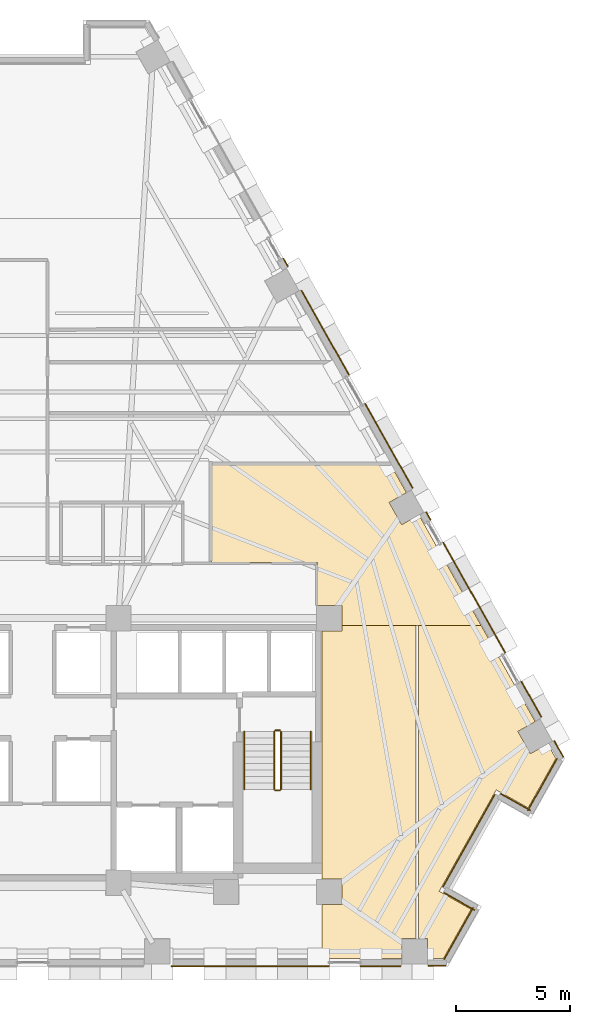
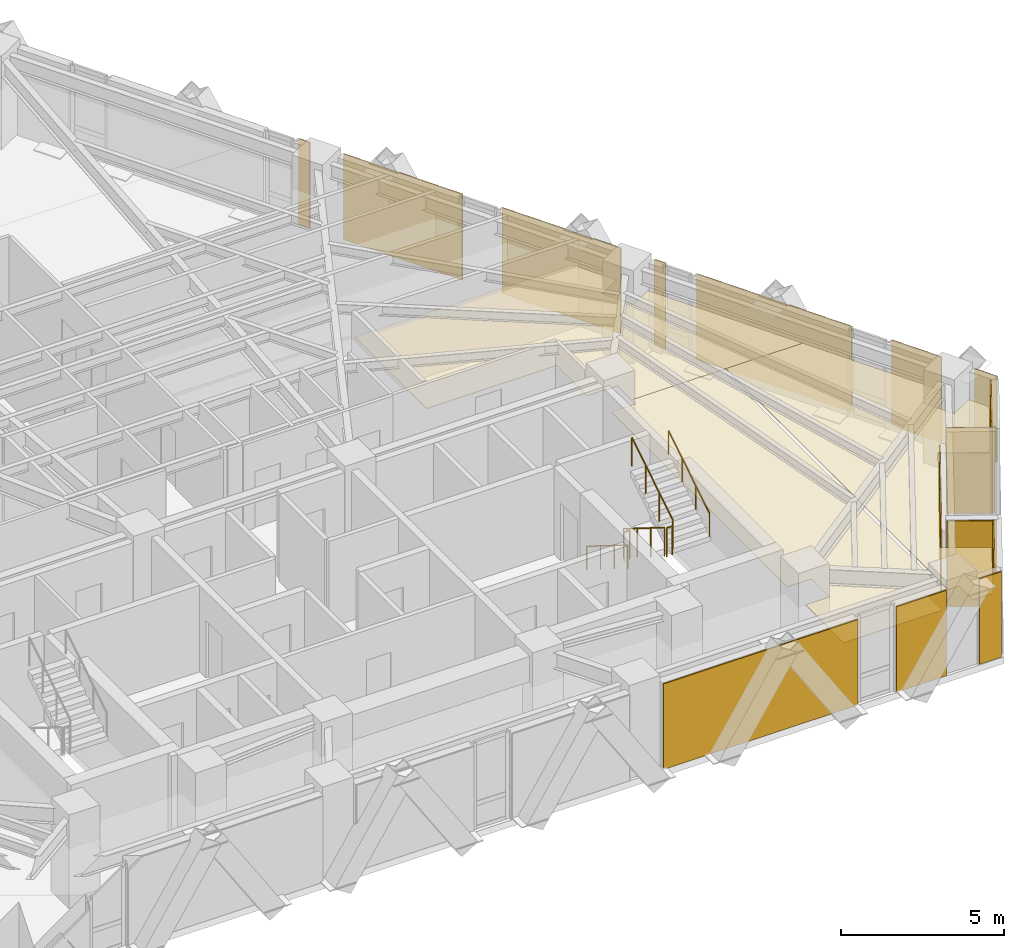
# One storey, part 12 of 13: 18 coverings, 6 railings.
"""IFC4 building model written with IfcOpenShell, lengths in metres."""

from ifc_helpers import new_model, si_unit, direction, frame, origin, origin_2d, place, context, subcontext, project, spatial, polyline, circle, outline, extrude, material, layer, layer_set, type_object, element, save


model = new_model("IFC4")

# Units and contexts
model_context = context("Model", 3, precision=1e-05, world=origin(), true_north=direction((0.0, 1.0)))
body_context = subcontext(model_context, "Body", "Model", "MODEL_VIEW")
ifc_project = project(units=[si_unit("LENGTHUNIT", "METRE"), si_unit("AREAUNIT", "SQUARE_METRE"), si_unit("VOLUMEUNIT", "CUBIC_METRE"), si_unit("PLANEANGLEUNIT", "RADIAN"), si_unit("MASSUNIT", "GRAM", prefix="KILO")], contexts=[model_context])

# Site, building, storey
site_placement = place(None, origin())
site = spatial("IfcSite", under=ifc_project, at=site_placement, CompositionType="ELEMENT")
building_placement = place(site_placement, origin())
building = spatial("IfcBuilding", under=site, at=building_placement, Name="Quenlor Broadcast Tower", CompositionType="ELEMENT")
storey_placement = place(building_placement, frame((0.0, 0.0, 116.0)))
storey = spatial("IfcBuildingStorey", under=building, at=storey_placement, Name="L31", CompositionType="ELEMENT", Elevation=116.0)

# Coverings
ifc_material_1 = material(Name="Acoustic Mineral Fibre Board", Category="other")
ifc_layer_1 = layer(ifc_material_1, 0.02490234375)
ifc_layer_set_1 = layer_set([ifc_layer_1], Name="Acoustic Perforated Mineral Tile Ceiling 25")
covering_type_1 = type_object("IfcCoveringType", Name="Acoustic Perforated Mineral Tile Ceiling 25", PredefinedType="CEILING", material=ifc_layer_set_1)
covering_1_placement = place(storey_placement, frame((0.0, 0.0, 2.22509765625)))
element("IfcCovering", 1, at=covering_1_placement, inside=storey, type_object=covering_type_1, Name="L31 Acoustic Ceiling L31-35-2", PredefinedType="CEILING", context=body_context, shape_type="SweptSolid", body=[
    extrude(outline(polyline([(13.508056640625, -4.241943359375), (12.43994140625, -4.241943359375), (12.43994140625, -2.3701171875), (7.820068359375, -2.3701171875), (7.820068359375, 2.06005859375), (15.55126953125, 2.06005859375), (16.32666015625, 0.68115234375), (15.5703125, 0.255615234375), (16.1171875, -0.717041015625), (16.873779296875, -0.29150390625), (19.58984375, -5.1201171875), (16.860107421875, -5.1201171875), (16.739990234375, -5.1201171875), (13.508056640625, -5.1201171875), (13.508056640625, -4.241943359375)])), origin(), (0.0, 0.0, 1.0), 0.02490234375),
])
covering_2_placement = place(storey_placement, frame((0.0, 0.0, 2.22509765625)))
element("IfcCovering", 2, at=covering_2_placement, inside=storey, type_object=covering_type_1, Name="L31 Acoustic Ceiling L31-35-6", PredefinedType="CEILING", context=body_context, shape_type="SweptSolid", body=[
    extrude(outline(polyline([(13.508056640625, -17.30810546875), (13.508056640625, -16.19189453125), (12.64990234375, -16.19189453125), (12.64990234375, -5.35791015625), (13.508056640625, -5.35791015625), (13.508056640625, -5.1201171875), (16.739990234375, -5.1201171875), (16.739990234375, -18.7919921875), (16.134521484375, -18.7919921875), (16.134521484375, -19.659912109375), (12.64990234375, -19.659912109375), (12.64990234375, -17.30810546875), (13.508056640625, -17.30810546875)])), origin(), (0.0, 0.0, 1.0), 0.02490234375),
])
covering_3_placement = place(storey_placement, frame((0.0, 0.0, 2.22509765625)))
element("IfcCovering", 3, at=covering_3_placement, inside=storey, type_object=covering_type_1, Name="L31 Acoustic Ceiling L31-35-7", PredefinedType="CEILING", context=body_context, shape_type="SweptSolid", body=[
    extrude(outline(polyline([(21.951416015625, -9.318115234375), (21.19482421875, -9.74365234375), (21.741943359375, -10.71630859375), (22.49853515625, -10.290771484375), (22.85693359375, -10.927978515625), (21.64453125, -13.08349609375), (20.25, -12.299072265625), (17.759521484375, -16.7265625), (19.15380859375, -17.510986328125), (17.9453125, -19.659912109375), (17.25048828125, -19.659912109375), (17.25048828125, -18.7919921875), (16.860107421875, -18.7919921875), (16.860107421875, -5.1201171875), (19.58984375, -5.1201171875), (21.951416015625, -9.318115234375)])), origin(), (0.0, 0.0, 1.0), 0.02490234375),
])
ifc_material_2 = material(Name="Architectural Terracotta Ceramic", Category="masonry")
ifc_layer_2 = layer(ifc_material_2, 0.044921875)
ifc_layer_set_2 = layer_set([ifc_layer_2], Name="Fluted Terracotta Rainscreen Cladding Panel")
covering_type_2 = type_object("IfcCoveringType", Name="Fluted Terracotta Rainscreen Cladding Panel", PredefinedType="CLADDING", material=ifc_layer_set_2)
covering_4_placement = place(storey_placement, frame((0.0, 0.0, 0.02001953125)))
element("IfcCovering", 4, at=covering_4_placement, inside=storey, type_object=covering_type_2, Name="L31 Terracotta Rainscreen Cladding L31-SHD-SS0", PredefinedType="CLADDING", context=body_context, shape_type="SweptSolid", body=[
    extrude(outline(polyline([(18.053955078125, -19.951904296875), (17.277587890625, -19.951904296875), (17.277587890625, -19.9970703125), (18.053955078125, -19.9970703125), (18.053955078125, -19.951904296875)])), origin(), (0.0, 0.0, 1.0), 3.2099609375),
])
covering_5_placement = place(storey_placement, frame((0.0, 0.0, 0.02001953125)))
element("IfcCovering", 5, at=covering_5_placement, inside=storey, type_object=covering_type_2, Name="L31 Terracotta Rainscreen Cladding L31-SA-SP1", PredefinedType="CLADDING", context=body_context, shape_type="SweptSolid", body=[
    extrude(outline(polyline([(16.08740234375, -19.971923828125), (14.32177734375, -19.971923828125), (14.32177734375, -20.01708984375), (16.08740234375, -20.01708984375), (16.08740234375, -19.971923828125)])), origin(), (0.0, 0.0, 1.0), 3.2099609375),
])
covering_6_placement = place(storey_placement, frame((0.0, 0.0, 0.02001953125)))
element("IfcCovering", 6, at=covering_6_placement, inside=storey, type_object=covering_type_2, Name="L31 Terracotta Rainscreen Cladding L31-SA-SP2", PredefinedType="CLADDING", context=body_context, shape_type="SweptSolid", body=[
    extrude(outline(polyline([(12.94873046875, -19.971923828125), (6.048095703125, -19.971923828125), (6.048095703125, -20.01708984375), (12.94873046875, -20.01708984375), (12.94873046875, -19.971923828125)])), origin(), (0.0, 0.0, 1.0), 3.2099609375),
])
covering_7_placement = place(storey_placement, frame((0.0, 0.0, 0.02001953125)))
element("IfcCovering", 7, at=covering_7_placement, inside=storey, type_object=covering_type_2, Name="L31 Terracotta Rainscreen Cladding L31-SHD-NES1", PredefinedType="CLADDING", context=body_context, shape_type="SweptSolid", body=[
    extrude(outline(polyline([(22.76611328125, -10.171142578125), (23.160888671875, -10.873046875), (23.2001953125, -10.85107421875), (22.805419921875, -10.149169921875), (22.76611328125, -10.171142578125)])), origin(), (0.0, 0.0, 1.0), 3.2099609375),
])
covering_8_placement = place(storey_placement, frame((0.0, 0.0, 0.02001953125)))
element("IfcCovering", 8, at=covering_8_placement, inside=storey, type_object=covering_type_2, Name="L31 Terracotta Rainscreen Cladding L31-NEA-SP3", PredefinedType="CLADDING", context=body_context, shape_type="SweptSolid", body=[
    extrude(outline(polyline([(10.936279296875, 10.900634765625), (11.13232421875, 10.552001953125), (11.171630859375, 10.57421875), (10.9755859375, 10.922607421875), (10.936279296875, 10.900634765625)])), origin(), (0.0, 0.0, 1.0), 3.2099609375),
])
covering_9_placement = place(storey_placement, frame((0.0, 0.0, 0.02001953125)))
element("IfcCovering", 9, at=covering_9_placement, inside=storey, type_object=covering_type_2, Name="L31 Terracotta Rainscreen Cladding L31-NEC-SP1", PredefinedType="CLADDING", context=body_context, shape_type="SweptSolid", body=[
    extrude(outline(polyline([(17.168701171875, -0.179443359375), (17.36474609375, -0.528076171875), (17.404052734375, -0.506103515625), (17.2080078125, -0.157470703125), (17.168701171875, -0.179443359375)])), origin(), (0.0, 0.0, 1.0), 3.2099609375),
])
covering_10_placement = place(storey_placement, frame((0.0, 0.0, 0.02001953125)))
element("IfcCovering", 10, at=covering_10_placement, inside=storey, type_object=covering_type_2, Name="L31 Terracotta Rainscreen Cladding L31-NEC-SP2", PredefinedType="CLADDING", context=body_context, shape_type="SweptSolid", body=[
    extrude(outline(polyline([(17.912841796875, -1.502197265625), (20.62744140625, -6.328369140625), (20.666748046875, -6.306396484375), (17.951904296875, -1.47998046875), (17.912841796875, -1.502197265625)])), origin(), (0.0, 0.0, 1.0), 3.2099609375),
])
covering_11_placement = place(storey_placement, frame((0.0, 0.0, 0.02001953125)))
element("IfcCovering", 11, at=covering_11_placement, inside=storey, type_object=covering_type_2, Name="L31 Terracotta Rainscreen Cladding L31-NEC-SP3", PredefinedType="CLADDING", context=body_context, shape_type="SweptSolid", body=[
    extrude(outline(polyline([(21.325927734375, -7.56982421875), (22.2001953125, -9.1240234375), (22.239501953125, -9.10205078125), (21.364990234375, -7.5478515625), (21.325927734375, -7.56982421875)])), origin(), (0.0, 0.0, 1.0), 3.2099609375),
])
covering_12_placement = place(storey_placement, frame((0.0, 0.0, 0.02001953125)))
element("IfcCovering", 12, at=covering_12_placement, inside=storey, type_object=covering_type_2, Name="L31 Terracotta Rainscreen Cladding L31-NE-SP1", PredefinedType="CLADDING", context=body_context, shape_type="SweptSolid", body=[
    extrude(outline(polyline([(11.72314453125, 9.501708984375), (13.801513671875, 5.806884765625), (13.8408203125, 5.8291015625), (11.76220703125, 9.523681640625), (11.72314453125, 9.501708984375)])), origin(), (0.0, 0.0, 1.0), 3.2099609375),
])
covering_13_placement = place(storey_placement, frame((0.0, 0.0, 0.02001953125)))
element("IfcCovering", 13, at=covering_13_placement, inside=storey, type_object=covering_type_2, Name="L31 Terracotta Rainscreen Cladding L31-NE-SP2", PredefinedType="CLADDING", context=body_context, shape_type="SweptSolid", body=[
    extrude(outline(polyline([(14.499755859375, 4.565673828125), (16.577880859375, 0.870849609375), (16.6171875, 0.892822265625), (14.538818359375, 4.587646484375), (14.499755859375, 4.565673828125)])), origin(), (0.0, 0.0, 1.0), 3.2099609375),
])
covering_14_placement = place(storey_placement, frame((0.0, 0.0, 0.02001953125)))
element("IfcCovering", 14, at=covering_14_placement, inside=storey, type_object=covering_type_2, Name="L31 Terracotta Rainscreen Cladding L31-CNR-01", PredefinedType="CLADDING", context=body_context, shape_type="SweptSolid", body=[
    extrude(outline(polyline([(19.31787109375, -17.525390625), (17.9755859375, -16.770263671875), (17.95361328125, -16.8095703125), (19.2958984375, -17.564697265625), (19.31787109375, -17.525390625)])), origin(), (0.0, 0.0, 1.0), 3.2099609375),
])
covering_15_placement = place(storey_placement, frame((0.0, 0.0, 0.02001953125)))
element("IfcCovering", 15, at=covering_15_placement, inside=storey, type_object=covering_type_2, Name="L31 Terracotta Rainscreen Cladding L31-CNR-02", PredefinedType="CLADDING", context=body_context, shape_type="SweptSolid", body=[
    extrude(outline(polyline([(17.941162109375, -16.5419921875), (20.206298828125, -12.515380859375), (20.1669921875, -12.493408203125), (17.902099609375, -16.52001953125), (17.941162109375, -16.5419921875)])), origin(), (0.0, 0.0, 1.0), 2.681884765625),
])
covering_16_placement = place(storey_placement, frame((0.0, 0.0, 0.02001953125)))
element("IfcCovering", 16, at=covering_16_placement, inside=storey, type_object=covering_type_2, Name="L31 Terracotta Rainscreen Cladding L31-CNR-03", PredefinedType="CLADDING", context=body_context, shape_type="SweptSolid", body=[
    extrude(outline(polyline([(20.4345703125, -12.48095703125), (21.741943359375, -13.21630859375), (21.763916015625, -13.177001953125), (20.45654296875, -12.441650390625), (20.4345703125, -12.48095703125)])), origin(), (0.0, 0.0, 1.0), 3.2099609375),
])
covering_17_placement = place(storey_placement, frame((0.0, 0.0, 0.02001953125)))
element("IfcCovering", 17, at=covering_17_placement, inside=storey, type_object=covering_type_2, Name="L31 Terracotta Rainscreen Cladding L31-CNR-04", PredefinedType="CLADDING", context=body_context, shape_type="SweptSolid", body=[
    extrude(outline(polyline([(21.64990234375, -13.212646484375), (22.926513671875, -10.94287109375), (22.887451171875, -10.9208984375), (21.610595703125, -13.190673828125), (21.64990234375, -13.212646484375)])), origin(), (0.0, 0.0, 1.0), 3.2099609375),
])
covering_18_placement = place(storey_placement, frame((0.0, 0.0, 0.02001953125)))
element("IfcCovering", 18, at=covering_18_placement, inside=storey, type_object=covering_type_2, Name="L31 Terracotta Rainscreen Cladding L31-CNR-18", PredefinedType="CLADDING", context=body_context, shape_type="SweptSolid", body=[
    extrude(outline(polyline([(17.991943359375, -19.71533203125), (19.26708984375, -17.448486328125), (19.227783203125, -17.426513671875), (17.952880859375, -19.693359375), (17.991943359375, -19.71533203125)])), origin(), (0.0, 0.0, 1.0), 3.2099609375),
])

# Railings
ifc_material_3 = material(Name="Anodised Aluminium", Category="aluminium")
railing_type_1 = type_object("IfcRailingType", Name="Stainless Aluminium Wall Handrail 900", PredefinedType="HANDRAIL", material=ifc_material_3)
railing_1_placement = place(storey_placement, frame((9.25, -9.75, 0.175048828125)))
element("IfcRailing", 19, at=railing_1_placement, inside=storey, type_object=railing_type_1, Name="L31 ST-2 stair handrail 1", PredefinedType="HANDRAIL", context=body_context, shape_type="SweptSolid", body=[
    extrude(circle(Radius=0.02392578125, at=origin_2d()), frame((0.0, 0.0, 0.8759765625), z_axis=(0.0, -0.848007534815, 0.529984170421), x_axis=(1.0, 0.0, 0.0)), (0.0, 0.0, 1.0), 2.9716796875),
    extrude(circle(Radius=0.02099609375, at=origin_2d()), origin(), (0.0, 0.0, 1.0), 0.851806640625),
    extrude(circle(Radius=0.02099609375, at=origin_2d()), frame((0.0, -0.840087890625, 0.52490234375)), (0.0, 0.0, 1.0), 0.851806640625),
    extrude(circle(Radius=0.02099609375, at=origin_2d()), frame((0.0, -1.679931640625, 1.050048828125)), (0.0, 0.0, 1.0), 0.851806640625),
    extrude(circle(Radius=0.02099609375, at=origin_2d()), frame((0.0, -2.52001953125, 1.574951171875)), (0.0, 0.0, 1.0), 0.851806640625),
])
railing_2_placement = place(storey_placement, frame((12.14990234375, -12.27001953125, 1.925048828125)))
element("IfcRailing", 20, at=railing_2_placement, inside=storey, type_object=railing_type_1, Name="L31 ST-2 stair handrail 2", PredefinedType="HANDRAIL", context=body_context, shape_type="SweptSolid", body=[
    extrude(circle(Radius=0.02392578125, at=origin_2d()), frame((0.0, 0.0, 0.8759765625), z_axis=(0.0, 0.848007534815, 0.529984170421), x_axis=(-1.0, 0.0, 0.0)), (0.0, 0.0, 1.0), 2.9716796875),
    extrude(circle(Radius=0.02099609375, at=origin_2d()), origin(), (0.0, 0.0, 1.0), 0.851806640625),
    extrude(circle(Radius=0.02099609375, at=origin_2d()), frame((0.0, 0.840087890625, 0.52490234375)), (0.0, 0.0, 1.0), 0.851806640625),
    extrude(circle(Radius=0.02099609375, at=origin_2d()), frame((0.0, 1.679931640625, 1.050048828125)), (0.0, 0.0, 1.0), 0.851806640625),
    extrude(circle(Radius=0.02099609375, at=origin_2d()), frame((0.0, 2.52001953125, 1.574951171875)), (0.0, 0.0, 1.0), 0.851806640625),
])
ifc_material_4 = material(Name="Steel S355", Category="steel")
railing_type_2 = type_object("IfcRailingType", Name="Tubular Steel S355 Stair Guardrail 1100", PredefinedType="BALUSTRADE", material=ifc_material_4)
railing_3_placement = place(storey_placement, frame((10.550048828125, -9.75, 0.175048828125)))
element("IfcRailing", 21, at=railing_3_placement, inside=storey, type_object=railing_type_2, Name="L31 ST-2 stair guard 1", PredefinedType="BALUSTRADE", context=body_context, shape_type="SweptSolid", body=[
    extrude(circle(Radius=0.02392578125, at=origin_2d()), frame((0.0, 0.0, 1.076171875), z_axis=(0.0, -0.848007534815, 0.529984170421), x_axis=(1.0, 0.0, 0.0)), (0.0, 0.0, 1.0), 2.9716796875),
    extrude(circle(Radius=0.02099609375, at=origin_2d()), origin(), (0.0, 0.0, 1.0), 1.052001953125),
    extrude(circle(Radius=0.02099609375, at=origin_2d()), frame((0.0, -0.840087890625, 0.52490234375)), (0.0, 0.0, 1.0), 1.052001953125),
    extrude(circle(Radius=0.02099609375, at=origin_2d()), frame((0.0, -1.679931640625, 1.050048828125)), (0.0, 0.0, 1.0), 1.052001953125),
    extrude(circle(Radius=0.02099609375, at=origin_2d()), frame((0.0, -2.52001953125, 1.574951171875)), (0.0, 0.0, 1.0), 1.052001953125),
])
railing_4_placement = place(storey_placement, frame((10.60009765625, -12.320068359375, 1.75)))
element("IfcRailing", 22, at=railing_4_placement, inside=storey, type_object=railing_type_2, Name="L31 ST-2 stair guard 2", PredefinedType="BALUSTRADE", context=body_context, shape_type="SweptSolid", body=[
    extrude(circle(Radius=0.02392578125, at=origin_2d()), frame((0.0, 0.0, 1.076171875), z_axis=(1.0, 0.0, 0.0), x_axis=(0.0, 1.0, 0.0)), (0.0, 0.0, 1.0), 0.199951171875),
    extrude(circle(Radius=0.02099609375, at=origin_2d()), origin(), (0.0, 0.0, 1.0), 1.052001953125),
    extrude(circle(Radius=0.02099609375, at=origin_2d()), frame((0.199951171875, 0.0, 0.0)), (0.0, 0.0, 1.0), 1.052001953125),
])
railing_5_placement = place(storey_placement, frame((10.85009765625, -12.27001953125, 1.925048828125)))
element("IfcRailing", 23, at=railing_5_placement, inside=storey, type_object=railing_type_2, Name="L31 ST-2 stair guard 3", PredefinedType="BALUSTRADE", context=body_context, shape_type="SweptSolid", body=[
    extrude(circle(Radius=0.02392578125, at=origin_2d()), frame((0.0, 0.0, 1.076171875), z_axis=(0.0, 0.848007534815, 0.529984170421), x_axis=(-1.0, 0.0, 0.0)), (0.0, 0.0, 1.0), 2.9716796875),
    extrude(circle(Radius=0.02099609375, at=origin_2d()), origin(), (0.0, 0.0, 1.0), 1.052001953125),
    extrude(circle(Radius=0.02099609375, at=origin_2d()), frame((0.0, 0.840087890625, 0.52490234375)), (0.0, 0.0, 1.0), 1.052001953125),
    extrude(circle(Radius=0.02099609375, at=origin_2d()), frame((0.0, 1.679931640625, 1.050048828125)), (0.0, 0.0, 1.0), 1.052001953125),
    extrude(circle(Radius=0.02099609375, at=origin_2d()), frame((0.0, 2.52001953125, 1.574951171875)), (0.0, 0.0, 1.0), 1.052001953125),
])
railing_6_placement = place(storey_placement, frame((10.60009765625, -9.699951171875, 0.0)))
element("IfcRailing", 24, at=railing_6_placement, inside=storey, type_object=railing_type_2, Name="L31 ST-2 stair guard 4", PredefinedType="BALUSTRADE", context=body_context, shape_type="SweptSolid", body=[
    extrude(circle(Radius=0.02392578125, at=origin_2d()), frame((0.0, 0.0, 1.076171875), z_axis=(1.0, 0.0, 0.0), x_axis=(0.0, 1.0, 0.0)), (0.0, 0.0, 1.0), 0.199951171875),
    extrude(circle(Radius=0.02099609375, at=origin_2d()), origin(), (0.0, 0.0, 1.0), 1.052001953125),
    extrude(circle(Radius=0.02099609375, at=origin_2d()), frame((0.199951171875, 0.0, 0.0)), (0.0, 0.0, 1.0), 1.052001953125),
])

save(model, "model.ifc")
